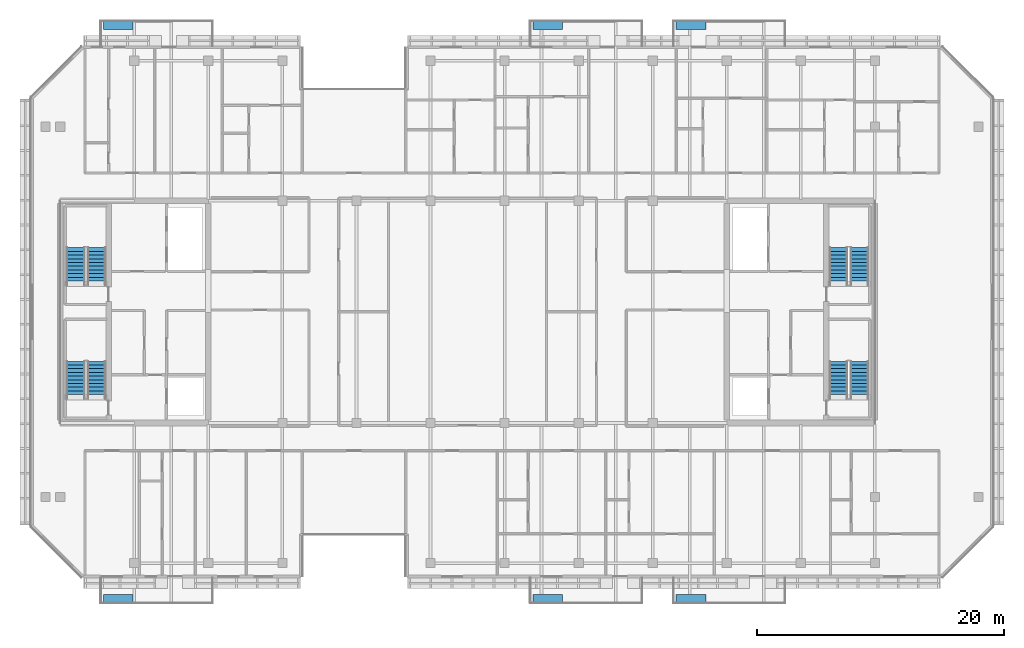
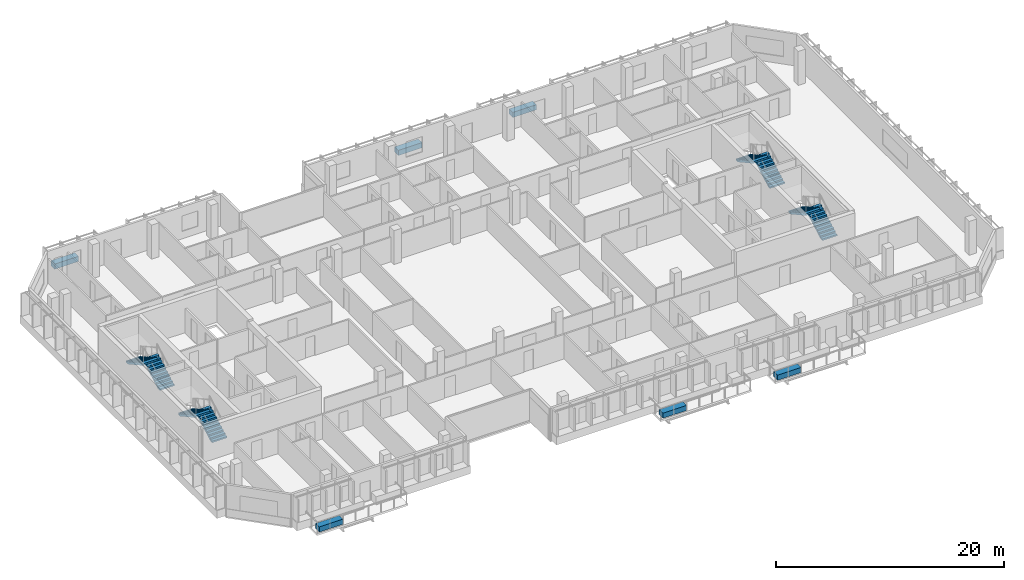
# One storey, part 12 of 17: 8 stair flights, 6 discrete accessories, 4 elements without a shape of their own.
"""IFC4 building model written with IfcOpenShell, lengths in metres."""

from ifc_helpers import new_model, si_unit, direction, frame, origin, origin_2d, place, context, subcontext, project, spatial, polyline, rectangle, outline, extrude, material, type_object, element, aggregate, save


model = new_model("IFC4")

# Units and contexts
model_context = context("Model", 3, precision=1e-05, world=origin(), true_north=direction((0.0, 1.0)))
body_context = subcontext(model_context, "Body", "Model", "MODEL_VIEW")
ifc_project = project(units=[si_unit("LENGTHUNIT", "METRE"), si_unit("AREAUNIT", "SQUARE_METRE"), si_unit("VOLUMEUNIT", "CUBIC_METRE"), si_unit("PLANEANGLEUNIT", "RADIAN"), si_unit("MASSUNIT", "GRAM", prefix="KILO")], contexts=[model_context])

# Site, building, storey
site_placement = place(None, origin())
site = spatial("IfcSite", under=ifc_project, at=site_placement, CompositionType="ELEMENT")
building_placement = place(site_placement, origin())
building = spatial("IfcBuilding", under=site, at=building_placement, Name="Tanjung Sevakor Pilgrim Tower", CompositionType="ELEMENT")
storey_placement = place(building_placement, frame((0.0, 0.0, 219.1201171875)))
storey = spatial("IfcBuildingStorey", under=building, at=storey_placement, Name="L61", CompositionType="ELEMENT", Elevation=219.1201171875)

# Stair, stair flights
ifc_material_1 = material(Name="Concrete C40/50", Category="concrete")
stair_type = type_object("IfcStairType", Name="STAIR-ST-CR150", PredefinedType="HALF_TURN_STAIR", material=ifc_material_1)
stair_1_placement = place(storey_placement, origin())
stair_1 = element("IfcStair", 1, at=stair_1_placement, inside=storey, type_object=stair_type, Name="L61 West Core Exit Stair 1", PredefinedType="HALF_TURN_STAIR")
ifc_material_2 = material(Name="Concrete C40/50", Category="concrete")
stair_flight_type = type_object("IfcStairFlightType", Name="FLIGHT-ST-CR150", PredefinedType="STRAIGHT", material=ifc_material_2)
stair_flight_1_placement = place(storey_placement, frame((26.949951171875, 26.60009765625, 0.0), z_axis=(0.0, 0.0, 1.0), x_axis=(0.0, 1.0, 0.0)))
stair_flight_1 = element("IfcStairFlight", 2, at=stair_flight_1_placement, type_object=stair_flight_type, Name="TS-W1 flight 1", NumberOfRisers=11, NumberOfTreads=10, PredefinedType="STRAIGHT", RiserHeight=0.165, TreadLength=0.3, context=body_context, shape_type="SweptSolid", body=[
    extrude(outline(polyline([(0.0, 0.0), (0.0, 0.1650390625), (0.300048828125, 0.1650390625), (0.300048828125, 0.330078125), (0.60009765625, 0.330078125), (0.60009765625, 0.4951171875), (0.89990234375, 0.4951171875), (0.89990234375, 0.659912109375), (1.199951171875, 0.659912109375), (1.199951171875, 0.824951171875), (1.5, 0.824951171875), (1.5, 0.989990234375), (1.800048828125, 0.989990234375), (1.800048828125, 1.155029296875), (2.10009765625, 1.155029296875), (2.10009765625, 1.320068359375), (2.39990234375, 1.320068359375), (2.39990234375, 1.485107421875), (2.699951171875, 1.485107421875), (2.699951171875, 1.64990234375), (3.0, 1.64990234375), (3.0, 1.81494140625), (3.0, 1.467529296875), (0.331787109375, 0.0), (0.0, 0.0)])), frame((0.0, 0.75, 0.0), z_axis=(0.0, -1.0, 0.0), x_axis=(1.0, 0.0, 0.0)), (0.0, 0.0, 1.0), 1.5),
])
stair_flight_2_placement = place(storey_placement, frame((25.25, 29.60009765625, 1.81494140625), z_axis=(0.0, 0.0, 1.0), x_axis=(0.0, -1.0, 0.0)))
stair_flight_2 = element("IfcStairFlight", 3, at=stair_flight_2_placement, type_object=stair_flight_type, Name="TS-W1 flight 2", NumberOfRisers=11, NumberOfTreads=10, PredefinedType="STRAIGHT", RiserHeight=0.165, TreadLength=0.3, context=body_context, shape_type="SweptSolid", body=[
    extrude(outline(polyline([(0.0, 0.0), (0.0, 0.1650390625), (0.300048828125, 0.1650390625), (0.300048828125, 0.330078125), (0.60009765625, 0.330078125), (0.60009765625, 0.4951171875), (0.89990234375, 0.4951171875), (0.89990234375, 0.659912109375), (1.199951171875, 0.659912109375), (1.199951171875, 0.824951171875), (1.5, 0.824951171875), (1.5, 0.989990234375), (1.800048828125, 0.989990234375), (1.800048828125, 1.155029296875), (2.10009765625, 1.155029296875), (2.10009765625, 1.320068359375), (2.39990234375, 1.320068359375), (2.39990234375, 1.485107421875), (2.699951171875, 1.485107421875), (2.699951171875, 1.64990234375), (3.0, 1.64990234375), (3.0, 1.81494140625), (3.0, 1.467529296875), (0.331787109375, 0.0), (0.0, 0.0)])), frame((0.0, 0.75, 0.0), z_axis=(0.0, -1.0, 0.0), x_axis=(1.0, 0.0, 0.0)), (0.0, 0.0, 1.0), 1.5),
])
aggregate(stair_1, [stair_flight_1, stair_flight_2])

stair_2_placement = place(storey_placement, origin())
stair_2 = element("IfcStair", 4, at=stair_2_placement, inside=storey, type_object=stair_type, Name="L61 West Core Exit Stair 2", PredefinedType="HALF_TURN_STAIR")
stair_flight_3_placement = place(storey_placement, frame((26.949951171875, 35.800048828125, 0.0), z_axis=(0.0, 0.0, 1.0), x_axis=(0.0, 1.0, 0.0)))
stair_flight_3 = element("IfcStairFlight", 5, at=stair_flight_3_placement, type_object=stair_flight_type, Name="TS-W2 flight 1", NumberOfRisers=11, NumberOfTreads=10, PredefinedType="STRAIGHT", RiserHeight=0.165, TreadLength=0.3, context=body_context, shape_type="SweptSolid", body=[
    extrude(outline(polyline([(0.0, 0.0), (0.0, 0.1650390625), (0.300048828125, 0.1650390625), (0.300048828125, 0.330078125), (0.60009765625, 0.330078125), (0.60009765625, 0.4951171875), (0.89990234375, 0.4951171875), (0.89990234375, 0.659912109375), (1.199951171875, 0.659912109375), (1.199951171875, 0.824951171875), (1.5, 0.824951171875), (1.5, 0.989990234375), (1.800048828125, 0.989990234375), (1.800048828125, 1.155029296875), (2.10009765625, 1.155029296875), (2.10009765625, 1.320068359375), (2.39990234375, 1.320068359375), (2.39990234375, 1.485107421875), (2.699951171875, 1.485107421875), (2.699951171875, 1.64990234375), (3.0, 1.64990234375), (3.0, 1.81494140625), (3.0, 1.467529296875), (0.331787109375, 0.0), (0.0, 0.0)])), frame((0.0, 0.75, 0.0), z_axis=(0.0, -1.0, 0.0), x_axis=(1.0, 0.0, 0.0)), (0.0, 0.0, 1.0), 1.5),
])
stair_flight_4_placement = place(storey_placement, frame((25.25, 38.800048828125, 1.81494140625), z_axis=(0.0, 0.0, 1.0), x_axis=(0.0, -1.0, 0.0)))
stair_flight_4 = element("IfcStairFlight", 6, at=stair_flight_4_placement, type_object=stair_flight_type, Name="TS-W2 flight 2", NumberOfRisers=11, NumberOfTreads=10, PredefinedType="STRAIGHT", RiserHeight=0.165, TreadLength=0.3, context=body_context, shape_type="SweptSolid", body=[
    extrude(outline(polyline([(0.0, 0.0), (0.0, 0.1650390625), (0.300048828125, 0.1650390625), (0.300048828125, 0.330078125), (0.60009765625, 0.330078125), (0.60009765625, 0.4951171875), (0.89990234375, 0.4951171875), (0.89990234375, 0.659912109375), (1.199951171875, 0.659912109375), (1.199951171875, 0.824951171875), (1.5, 0.824951171875), (1.5, 0.989990234375), (1.800048828125, 0.989990234375), (1.800048828125, 1.155029296875), (2.10009765625, 1.155029296875), (2.10009765625, 1.320068359375), (2.39990234375, 1.320068359375), (2.39990234375, 1.485107421875), (2.699951171875, 1.485107421875), (2.699951171875, 1.64990234375), (3.0, 1.64990234375), (3.0, 1.81494140625), (3.0, 1.467529296875), (0.331787109375, 0.0), (0.0, 0.0)])), frame((0.0, 0.75, 0.0), z_axis=(0.0, -1.0, 0.0), x_axis=(1.0, 0.0, 0.0)), (0.0, 0.0, 1.0), 1.5),
])
aggregate(stair_2, [stair_flight_3, stair_flight_4])

stair_3_placement = place(storey_placement, origin())
stair_3 = element("IfcStair", 7, at=stair_3_placement, inside=storey, type_object=stair_type, Name="L61 East Core Exit Stair 1", PredefinedType="HALF_TURN_STAIR")
stair_flight_5_placement = place(storey_placement, frame((88.75, 26.60009765625, 0.0), z_axis=(0.0, 0.0, 1.0), x_axis=(0.0, 1.0, 0.0)))
stair_flight_5 = element("IfcStairFlight", 8, at=stair_flight_5_placement, type_object=stair_flight_type, Name="TS-E1 flight 1", NumberOfRisers=11, NumberOfTreads=10, PredefinedType="STRAIGHT", RiserHeight=0.165, TreadLength=0.3, context=body_context, shape_type="SweptSolid", body=[
    extrude(outline(polyline([(0.0, 0.0), (0.0, 0.1650390625), (0.300048828125, 0.1650390625), (0.300048828125, 0.330078125), (0.60009765625, 0.330078125), (0.60009765625, 0.4951171875), (0.89990234375, 0.4951171875), (0.89990234375, 0.659912109375), (1.199951171875, 0.659912109375), (1.199951171875, 0.824951171875), (1.5, 0.824951171875), (1.5, 0.989990234375), (1.800048828125, 0.989990234375), (1.800048828125, 1.155029296875), (2.10009765625, 1.155029296875), (2.10009765625, 1.320068359375), (2.39990234375, 1.320068359375), (2.39990234375, 1.485107421875), (2.699951171875, 1.485107421875), (2.699951171875, 1.64990234375), (3.0, 1.64990234375), (3.0, 1.81494140625), (3.0, 1.467529296875), (0.331787109375, 0.0), (0.0, 0.0)])), frame((0.0, 0.75, 0.0), z_axis=(0.0, -1.0, 0.0), x_axis=(1.0, 0.0, 0.0)), (0.0, 0.0, 1.0), 1.5),
])
stair_flight_6_placement = place(storey_placement, frame((87.050048828125, 29.60009765625, 1.81494140625), z_axis=(0.0, 0.0, 1.0), x_axis=(0.0, -1.0, 0.0)))
stair_flight_6 = element("IfcStairFlight", 9, at=stair_flight_6_placement, type_object=stair_flight_type, Name="TS-E1 flight 2", NumberOfRisers=11, NumberOfTreads=10, PredefinedType="STRAIGHT", RiserHeight=0.165, TreadLength=0.3, context=body_context, shape_type="SweptSolid", body=[
    extrude(outline(polyline([(0.0, 0.0), (0.0, 0.1650390625), (0.300048828125, 0.1650390625), (0.300048828125, 0.330078125), (0.60009765625, 0.330078125), (0.60009765625, 0.4951171875), (0.89990234375, 0.4951171875), (0.89990234375, 0.659912109375), (1.199951171875, 0.659912109375), (1.199951171875, 0.824951171875), (1.5, 0.824951171875), (1.5, 0.989990234375), (1.800048828125, 0.989990234375), (1.800048828125, 1.155029296875), (2.10009765625, 1.155029296875), (2.10009765625, 1.320068359375), (2.39990234375, 1.320068359375), (2.39990234375, 1.485107421875), (2.699951171875, 1.485107421875), (2.699951171875, 1.64990234375), (3.0, 1.64990234375), (3.0, 1.81494140625), (3.0, 1.467529296875), (0.331787109375, 0.0), (0.0, 0.0)])), frame((0.0, 0.75, 0.0), z_axis=(0.0, -1.0, 0.0), x_axis=(1.0, 0.0, 0.0)), (0.0, 0.0, 1.0), 1.5),
])
aggregate(stair_3, [stair_flight_5, stair_flight_6])

stair_4_placement = place(storey_placement, origin())
stair_4 = element("IfcStair", 10, at=stair_4_placement, inside=storey, type_object=stair_type, Name="L61 East Core Exit Stair 2", PredefinedType="HALF_TURN_STAIR")
stair_flight_7_placement = place(storey_placement, frame((88.75, 35.800048828125, 0.0), z_axis=(0.0, 0.0, 1.0), x_axis=(0.0, 1.0, 0.0)))
stair_flight_7 = element("IfcStairFlight", 11, at=stair_flight_7_placement, type_object=stair_flight_type, Name="TS-E2 flight 1", NumberOfRisers=11, NumberOfTreads=10, PredefinedType="STRAIGHT", RiserHeight=0.165, TreadLength=0.3, context=body_context, shape_type="SweptSolid", body=[
    extrude(outline(polyline([(0.0, 0.0), (0.0, 0.1650390625), (0.300048828125, 0.1650390625), (0.300048828125, 0.330078125), (0.60009765625, 0.330078125), (0.60009765625, 0.4951171875), (0.89990234375, 0.4951171875), (0.89990234375, 0.659912109375), (1.199951171875, 0.659912109375), (1.199951171875, 0.824951171875), (1.5, 0.824951171875), (1.5, 0.989990234375), (1.800048828125, 0.989990234375), (1.800048828125, 1.155029296875), (2.10009765625, 1.155029296875), (2.10009765625, 1.320068359375), (2.39990234375, 1.320068359375), (2.39990234375, 1.485107421875), (2.699951171875, 1.485107421875), (2.699951171875, 1.64990234375), (3.0, 1.64990234375), (3.0, 1.81494140625), (3.0, 1.467529296875), (0.331787109375, 0.0), (0.0, 0.0)])), frame((0.0, 0.75, 0.0), z_axis=(0.0, -1.0, 0.0), x_axis=(1.0, 0.0, 0.0)), (0.0, 0.0, 1.0), 1.5),
])
stair_flight_8_placement = place(storey_placement, frame((87.050048828125, 38.800048828125, 1.81494140625), z_axis=(0.0, 0.0, 1.0), x_axis=(0.0, -1.0, 0.0)))
stair_flight_8 = element("IfcStairFlight", 12, at=stair_flight_8_placement, type_object=stair_flight_type, Name="TS-E2 flight 2", NumberOfRisers=11, NumberOfTreads=10, PredefinedType="STRAIGHT", RiserHeight=0.165, TreadLength=0.3, context=body_context, shape_type="SweptSolid", body=[
    extrude(outline(polyline([(0.0, 0.0), (0.0, 0.1650390625), (0.300048828125, 0.1650390625), (0.300048828125, 0.330078125), (0.60009765625, 0.330078125), (0.60009765625, 0.4951171875), (0.89990234375, 0.4951171875), (0.89990234375, 0.659912109375), (1.199951171875, 0.659912109375), (1.199951171875, 0.824951171875), (1.5, 0.824951171875), (1.5, 0.989990234375), (1.800048828125, 0.989990234375), (1.800048828125, 1.155029296875), (2.10009765625, 1.155029296875), (2.10009765625, 1.320068359375), (2.39990234375, 1.320068359375), (2.39990234375, 1.485107421875), (2.699951171875, 1.485107421875), (2.699951171875, 1.64990234375), (3.0, 1.64990234375), (3.0, 1.81494140625), (3.0, 1.467529296875), (0.331787109375, 0.0), (0.0, 0.0)])), frame((0.0, 0.75, 0.0), z_axis=(0.0, -1.0, 0.0), x_axis=(1.0, 0.0, 0.0)), (0.0, 0.0, 1.0), 1.5),
])
aggregate(stair_4, [stair_flight_7, stair_flight_8])

# Discrete accessories
ifc_material_3 = material(Name="Reconstructed Limestone Precast C45/55", Category="masonry")
discrete_accessory_type = type_object("IfcDiscreteAccessoryType", Name="ACC-PLANTER-STN2", PredefinedType="USERDEFINED", material=ifc_material_3)
for number, where, z_axis, x_axis, name in (
    (13, (28.699951171875, 10.39990234375, 0.0), (0.0, 0.0, 1.0), (1.0, 0.0, 0.0), "L61 Balcony Stone Planter 041"),
    (14, (28.699951171875, 56.800048828125, 0.0), (0.0, 0.0, 1.0), (1.0, 0.0, 0.0), "L61 Balcony Stone Planter 042"),
    (15, (63.5, 10.39990234375, 0.0), (0.0, 0.0, 1.0), (1.0, 0.0, 0.0), "L61 Balcony Stone Planter 043"),
    (16, (63.5, 56.800048828125, 0.0), (0.0, 0.0, 1.0), (1.0, 0.0, 0.0), "L61 Balcony Stone Planter 044"),
    (17, (75.10009765625, 10.39990234375, 0.0), (0.0, 0.0, 1.0), (1.0, 0.0, 0.0), "L61 Balcony Stone Planter 045"),
    (18, (75.10009765625, 56.800048828125, 0.0), (0.0, 0.0, 1.0), (1.0, 0.0, 0.0), "L61 Balcony Stone Planter 046"),
):
    element("IfcDiscreteAccessory", number, at=place(storey_placement, frame(where, z_axis=z_axis, x_axis=x_axis)), inside=storey, type_object=discrete_accessory_type, Name=name, ObjectType="PLANTER", PredefinedType="USERDEFINED", context=body_context, shape_type="SweptSolid", body=[
        extrude(rectangle(XDim=2.39990234375, YDim=0.64990234375, at=origin_2d()), origin(), (0.0, 0.0, 1.0), 0.550048828125),
    ])

save(model, "model.ifc")
